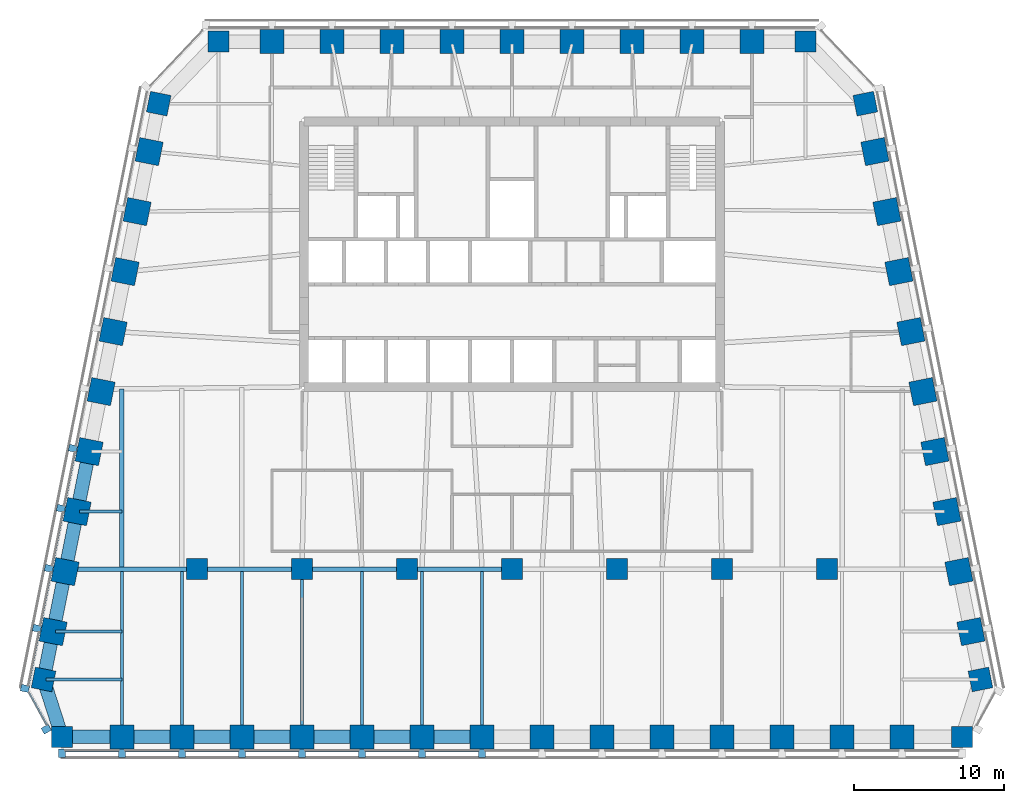
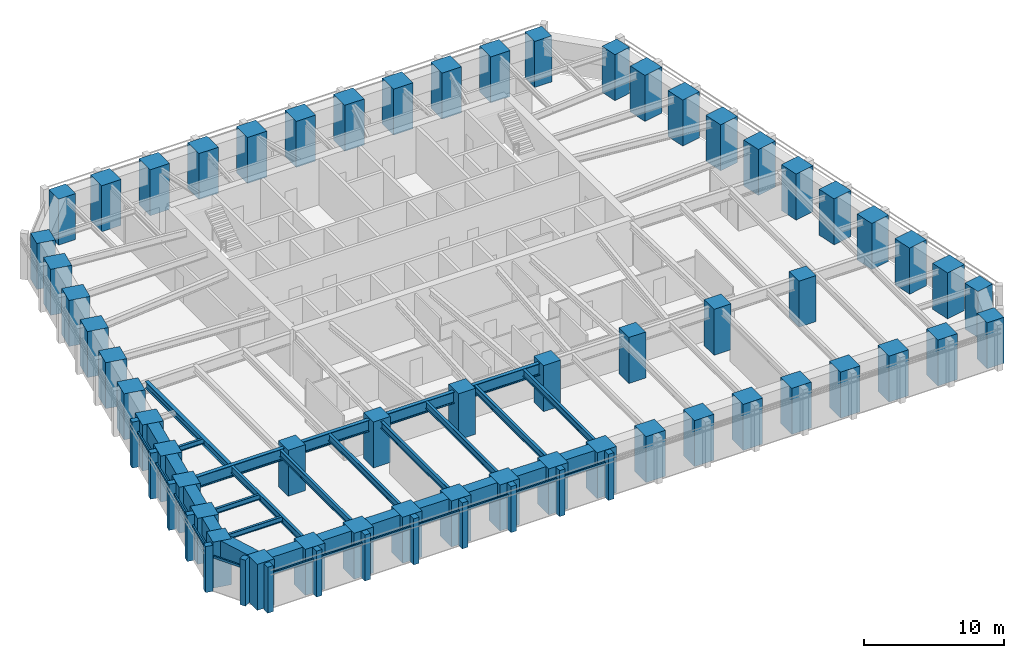
# One storey, part 1 of 10: 56 columns, 27 beams, 26 members, 3 elements without a shape of their own.
"""IFC4 building model written with IfcOpenShell, lengths in metres."""

from ifc_helpers import new_model, si_unit, direction, frame, origin, origin_2d, place, context, subcontext, project, spatial, rectangle, i_section, extrude, material, material_profile, profile_set, type_object, element, aggregate, save


model = new_model("IFC4")

# Units and contexts
model_context = context("Model", 3, precision=1e-05, world=origin(), true_north=direction((0.0, 1.0)))
body_context = subcontext(model_context, "Body", "Model", "MODEL_VIEW")
ifc_project = project(units=[si_unit("LENGTHUNIT", "METRE"), si_unit("AREAUNIT", "SQUARE_METRE"), si_unit("VOLUMEUNIT", "CUBIC_METRE"), si_unit("PLANEANGLEUNIT", "RADIAN"), si_unit("MASSUNIT", "GRAM", prefix="KILO")], contexts=[model_context])

# Site, building, storey
site_placement = place(None, origin())
site = spatial("IfcSite", under=ifc_project, at=site_placement, CompositionType="ELEMENT")
building_placement = place(site_placement, origin())
building = spatial("IfcBuilding", under=site, at=building_placement, Name="Isbrekke Arena Tower", CompositionType="ELEMENT")
storey_placement = place(building_placement, frame((0.0, 0.0, 186.0)))
storey = spatial("IfcBuildingStorey", under=building, at=storey_placement, Name="L42", CompositionType="ELEMENT", Elevation=186.0)

# Columns
ifc_material_1 = material(Name="Concrete B65 (C65/80)", Category="concrete")
ifc_material_profile_1 = material_profile(ifc_material_1, rectangle(XDim=1.39990234375, YDim=1.39990234375, at=origin_2d()), Name="RC 1400x1400")
ifc_profile_set_1 = profile_set([ifc_material_profile_1], Name="Concrete B65 (C65/80)")
column_type_1 = type_object("IfcColumnType", Name="C13 RC 1400 x 1400", PredefinedType="COLUMN", material=ifc_profile_set_1)
for number, where, z_axis, x_axis, name in (
    (1, (-21.0, -6.0, 0.0), (0.0, 0.0, 1.0), (1.0, 0.0, 0.0), "C13 I01"),
    (2, (-14.0, -6.0, 0.0), (0.0, 0.0, 1.0), (1.0, 0.0, 0.0), "C13 I02"),
    (3, (-7.0, -6.0, 0.0), (0.0, 0.0, 1.0), (1.0, 0.0, 0.0), "C13 I03"),
    (4, (0.0, -6.0, 0.0), (0.0, 0.0, 1.0), (1.0, 0.0, 0.0), "C13 I04"),
    (5, (7.0, -6.0, 0.0), (0.0, 0.0, 1.0), (1.0, 0.0, 0.0), "C13 I05"),
    (6, (14.0, -6.0, 0.0), (0.0, 0.0, 1.0), (1.0, 0.0, 0.0), "C13 I06"),
    (7, (21.0, -6.0, 0.0), (0.0, 0.0, 1.0), (1.0, 0.0, 0.0), "C13 I07"),
):
    element("IfcColumn", number, at=place(storey_placement, frame(where, z_axis=z_axis, x_axis=x_axis)), inside=storey, type_object=column_type_1, Name=name, PredefinedType="COLUMN", context=body_context, shape_type="SweptSolid", body=[
        extrude(rectangle(XDim=1.39990234375, YDim=1.39990234375, at=origin_2d()), origin(), (0.0, 0.0, 1.0), 4.0),
    ])
ifc_material_2 = material(Name="Concrete B65 (C65/80)", Category="concrete")
ifc_material_profile_2 = material_profile(ifc_material_2, rectangle(XDim=1.60009765625, YDim=1.60009765625, at=origin_2d()), Name="RC 1600x1600")
ifc_profile_set_2 = profile_set([ifc_material_profile_2], Name="Concrete B65 (C65/80)")
column_type_2 = type_object("IfcColumnType", Name="C4 RC 1600 x 1600", PredefinedType="COLUMN", material=ifc_profile_set_2)
for number, where, z_axis, x_axis, name in (
    (8, (-26.0, -17.175048828125, 0.0), (0.0, 0.0, 1.0), (1.0, 0.0, 0.0), "C4 S02"),
    (9, (-22.0, -17.175048828125, 0.0), (0.0, 0.0, 1.0), (1.0, 0.0, 0.0), "C4 S03"),
    (10, (-18.0, -17.175048828125, 0.0), (0.0, 0.0, 1.0), (1.0, 0.0, 0.0), "C4 S04"),
    (11, (-14.0, -17.175048828125, 0.0), (0.0, 0.0, 1.0), (1.0, 0.0, 0.0), "C4 S05"),
    (12, (-10.0, -17.175048828125, 0.0), (0.0, 0.0, 1.0), (1.0, 0.0, 0.0), "C4 S06"),
    (13, (-6.0, -17.175048828125, 0.0), (0.0, 0.0, 1.0), (1.0, 0.0, 0.0), "C4 S07"),
    (14, (-2.0, -17.175048828125, 0.0), (0.0, 0.0, 1.0), (1.0, 0.0, 0.0), "C4 S08"),
    (15, (2.0, -17.175048828125, 0.0), (0.0, 0.0, 1.0), (1.0, 0.0, 0.0), "C4 S09"),
    (16, (6.0, -17.175048828125, 0.0), (0.0, 0.0, 1.0), (1.0, 0.0, 0.0), "C4 S10"),
    (17, (10.0, -17.175048828125, 0.0), (0.0, 0.0, 1.0), (1.0, 0.0, 0.0), "C4 S11"),
    (18, (14.0, -17.175048828125, 0.0), (0.0, 0.0, 1.0), (1.0, 0.0, 0.0), "C4 S12"),
    (19, (18.0, -17.175048828125, 0.0), (0.0, 0.0, 1.0), (1.0, 0.0, 0.0), "C4 S13"),
    (20, (22.0, -17.175048828125, 0.0), (0.0, 0.0, 1.0), (1.0, 0.0, 0.0), "C4 S14"),
    (21, (26.0, -17.175048828125, 0.0), (0.0, 0.0, 1.0), (1.0, 0.0, 0.0), "C4 S15"),
    (22, (30.591064453125, -10.161865234375, 0.0), (0.0, 0.0, 1.0), (-0.196116135138, 0.980580675691, 0.0), "C4 E02"),
    (23, (29.791015625, -6.161865234375, 0.0), (0.0, 0.0, 1.0), (-0.196116135138, 0.980580675691, 0.0), "C4 E03"),
    (24, (28.990966796875, -2.161865234375, 0.0), (0.0, 0.0, 1.0), (-0.196116135138, 0.980580675691, 0.0), "C4 E04"),
    (25, (28.19091796875, 1.838134765625, 0.0), (0.0, 0.0, 1.0), (-0.196116135138, 0.980580675691, 0.0), "C4 E05"),
    (26, (27.39111328125, 5.838134765625, 0.0), (0.0, 0.0, 1.0), (-0.196116135138, 0.980580675691, 0.0), "C4 E06"),
    (27, (26.591064453125, 9.838134765625, 0.0), (0.0, 0.0, 1.0), (-0.196116135138, 0.980580675691, 0.0), "C4 E07"),
    (28, (25.791015625, 13.838134765625, 0.0), (0.0, 0.0, 1.0), (-0.196116135138, 0.980580675691, 0.0), "C4 E08"),
    (29, (24.990966796875, 17.838134765625, 0.0), (0.0, 0.0, 1.0), (-0.196116135138, 0.980580675691, 0.0), "C4 E09"),
    (30, (24.19091796875, 21.838134765625, 0.0), (0.0, 0.0, 1.0), (-0.196116135138, 0.980580675691, 0.0), "C4 E10"),
    (31, (16.0, 29.175048828125, 0.0), (0.0, 0.0, 1.0), (-1.0, 0.0, 0.0), "C4 N02"),
    (32, (12.0, 29.175048828125, 0.0), (0.0, 0.0, 1.0), (-1.0, 0.0, 0.0), "C4 N03"),
    (33, (8.0, 29.175048828125, 0.0), (0.0, 0.0, 1.0), (-1.0, 0.0, 0.0), "C4 N04"),
    (34, (4.0, 29.175048828125, 0.0), (0.0, 0.0, 1.0), (-1.0, 0.0, 0.0), "C4 N05"),
    (35, (0.0, 29.175048828125, 0.0), (0.0, 0.0, 1.0), (-1.0, 0.0, 0.0), "C4 N06"),
    (36, (-4.0, 29.175048828125, 0.0), (0.0, 0.0, 1.0), (-1.0, 0.0, 0.0), "C4 N07"),
    (37, (-8.0, 29.175048828125, 0.0), (0.0, 0.0, 1.0), (-1.0, 0.0, 0.0), "C4 N08"),
    (38, (-12.0, 29.175048828125, 0.0), (0.0, 0.0, 1.0), (-1.0, 0.0, 0.0), "C4 N09"),
    (39, (-16.0, 29.175048828125, 0.0), (0.0, 0.0, 1.0), (-1.0, 0.0, 0.0), "C4 N10"),
    (40, (-24.19091796875, 21.838134765625, 0.0), (0.0, 0.0, 1.0), (-0.196116135138, -0.980580675691, 0.0), "C4 W02"),
    (41, (-24.990966796875, 17.838134765625, 0.0), (0.0, 0.0, 1.0), (-0.196116135138, -0.980580675691, 0.0), "C4 W03"),
    (42, (-25.791015625, 13.838134765625, 0.0), (0.0, 0.0, 1.0), (-0.196116135138, -0.980580675691, 0.0), "C4 W04"),
    (43, (-26.591064453125, 9.838134765625, 0.0), (0.0, 0.0, 1.0), (-0.196116135138, -0.980580675691, 0.0), "C4 W05"),
    (44, (-27.39111328125, 5.838134765625, 0.0), (0.0, 0.0, 1.0), (-0.196116135138, -0.980580675691, 0.0), "C4 W06"),
    (45, (-28.19091796875, 1.838134765625, 0.0), (0.0, 0.0, 1.0), (-0.196116135138, -0.980580675691, 0.0), "C4 W07"),
    (46, (-28.990966796875, -2.161865234375, 0.0), (0.0, 0.0, 1.0), (-0.196116135138, -0.980580675691, 0.0), "C4 W08"),
    (47, (-29.791015625, -6.161865234375, 0.0), (0.0, 0.0, 1.0), (-0.196116135138, -0.980580675691, 0.0), "C4 W09"),
    (48, (-30.591064453125, -10.161865234375, 0.0), (0.0, 0.0, 1.0), (-0.196116135138, -0.980580675691, 0.0), "C4 W10"),
):
    element("IfcColumn", number, at=place(storey_placement, frame(where, z_axis=z_axis, x_axis=x_axis)), inside=storey, type_object=column_type_2, Name=name, PredefinedType="COLUMN", context=body_context, shape_type="SweptSolid", body=[
        extrude(rectangle(XDim=1.60009765625, YDim=1.60009765625, at=origin_2d()), origin(), (0.0, 0.0, 1.0), 4.0),
    ])
ifc_material_3 = material(Name="Concrete B65 (C65/80)", Category="concrete")
ifc_material_profile_3 = material_profile(ifc_material_3, rectangle(XDim=1.39990234375, YDim=1.39990234375, at=origin_2d()), Name="RC 1400x1400")
ifc_profile_set_3 = profile_set([ifc_material_profile_3], Name="Concrete B65 (C65/80)")
column_type_3 = type_object("IfcColumnType", Name="C8 RC 1400 x 1400", PredefinedType="COLUMN", material=ifc_profile_set_3)
for number, where, z_axis, x_axis, name in (
    (49, (-30.0, -17.175048828125, 0.0), (0.0, 0.0, 1.0), (1.0, 0.0, 0.0), "C8 S01"),
    (50, (30.0, -17.175048828125, 0.0), (0.0, 0.0, 1.0), (1.0, 0.0, 0.0), "C8 S16"),
    (51, (31.229248046875, -13.352783203125, 0.0), (0.0, 0.0, 1.0), (-0.196116135138, 0.980580675691, 0.0), "C8 E01"),
    (52, (23.552734375, 25.029296875, 0.0), (0.0, 0.0, 1.0), (-0.196116135138, 0.980580675691, 0.0), "C8 E11"),
    (53, (19.574951171875, 29.175048828125, 0.0), (0.0, 0.0, 1.0), (-1.0, 0.0, 0.0), "C8 N01"),
    (54, (-19.574951171875, 29.175048828125, 0.0), (0.0, 0.0, 1.0), (-1.0, 0.0, 0.0), "C8 N11"),
    (55, (-23.552734375, 25.029296875, 0.0), (0.0, 0.0, 1.0), (-0.196116135138, -0.980580675691, 0.0), "C8 W01"),
    (56, (-31.229248046875, -13.352783203125, 0.0), (0.0, 0.0, 1.0), (-0.196116135138, -0.980580675691, 0.0), "C8 W11"),
):
    element("IfcColumn", number, at=place(storey_placement, frame(where, z_axis=z_axis, x_axis=x_axis)), inside=storey, type_object=column_type_3, Name=name, PredefinedType="COLUMN", context=body_context, shape_type="SweptSolid", body=[
        extrude(rectangle(XDim=1.39990234375, YDim=1.39990234375, at=origin_2d()), origin(), (0.0, 0.0, 1.0), 4.0),
    ])

# Beams
ifc_material_4 = material(Name="Steel S355", Category="steel")
ifc_material_profile_4 = material_profile(ifc_material_4, i_section(OverallWidth=0.219970703125, OverallDepth=0.60009765625, WebThickness=0.011962890625, FlangeThickness=0.01904296875, FilletRadius=0.02392578125, at=origin_2d()), Name="IPE 600")
ifc_profile_set_4 = profile_set([ifc_material_profile_4], Name="Steel S355")
beam_type_1 = type_object("IfcBeamType", Name="B1 IPE 600", PredefinedType="BEAM", material=ifc_profile_set_4)
for number, where, z_axis, x_axis, name in (
    (57, (-26.0, -17.02490234375, 3.550048828125), (0.0, 1.0, 0.0), (-1.0, 0.0, 0.0), "B1 beam S-S02 L42"),
    (58, (-22.0, -17.02490234375, 3.550048828125), (0.0, 1.0, 0.0), (-1.0, 0.0, 0.0), "B1 beam S-S03 L42"),
    (59, (-18.0, -17.02490234375, 3.550048828125), (0.0, 1.0, 0.0), (-1.0, 0.0, 0.0), "B1 beam S-S04 L42"),
):
    element("IfcBeam", number, at=place(storey_placement, frame(where, z_axis=z_axis, x_axis=x_axis)), inside=storey, type_object=beam_type_1, Name=name, PredefinedType="BEAM", context=body_context, shape_type="SweptSolid", body=[
        extrude(i_section(OverallWidth=0.219970703125, OverallDepth=0.60009765625, WebThickness=0.011962890625, FlangeThickness=0.01904296875, FilletRadius=0.02392578125, at=origin_2d()), origin(), (0.0, 0.0, 1.0), 10.8740234375),
    ])
beam_1_placement = place(storey_placement, frame((-14.0, -17.02490234375, 3.550048828125), z_axis=(0.0, 1.0, 0.0), x_axis=(-1.0, 0.0, 0.0)))
element("IfcBeam", 60, at=beam_1_placement, inside=storey, type_object=beam_type_1, Name="B1 beam S-S05 L42", PredefinedType="BEAM", context=body_context, shape_type="SweptSolid", body=[
    extrude(i_section(OverallWidth=0.219970703125, OverallDepth=0.60009765625, WebThickness=0.011962890625, FlangeThickness=0.01904296875, FilletRadius=0.02392578125, at=origin_2d()), origin(), (0.0, 0.0, 1.0), 10.875),
])
for number, where, z_axis, x_axis, name in (
    (61, (-10.0, -17.02490234375, 3.550048828125), (0.0, 1.0, 0.0), (-1.0, 0.0, 0.0), "B1 beam S-S06 L42"),
    (62, (-6.0, -17.02490234375, 3.550048828125), (0.0, 1.0, 0.0), (-1.0, 0.0, 0.0), "B1 beam S-S07 L42"),
    (63, (-2.0, -17.02490234375, 3.550048828125), (0.0, 1.0, 0.0), (-1.0, 0.0, 0.0), "B1 beam S-S08 L42"),
):
    element("IfcBeam", number, at=place(storey_placement, frame(where, z_axis=z_axis, x_axis=x_axis)), inside=storey, type_object=beam_type_1, Name=name, PredefinedType="BEAM", context=body_context, shape_type="SweptSolid", body=[
        extrude(i_section(OverallWidth=0.219970703125, OverallDepth=0.60009765625, WebThickness=0.011962890625, FlangeThickness=0.01904296875, FilletRadius=0.02392578125, at=origin_2d()), origin(), (0.0, 0.0, 1.0), 10.8740234375),
    ])
ifc_material_5 = material(Name="Steel S355", Category="steel")
ifc_material_profile_5 = material_profile(ifc_material_5, i_section(OverallWidth=0.18994140625, OverallDepth=0.449951171875, WebThickness=0.009521484375, FlangeThickness=0.0146484375, FilletRadius=0.02099609375, at=origin_2d()), Name="IPE 450")
ifc_profile_set_5 = profile_set([ifc_material_profile_5], Name="Steel S355")
beam_type_2 = type_object("IfcBeamType", Name="B2 IPE 450", PredefinedType="BEAM", material=ifc_profile_set_5)
beam_2_placement = place(storey_placement, frame((-28.841064453125, -2.161865234375, 3.625), z_axis=(1.0, 0.0, 0.0), x_axis=(0.0, 1.0, 0.0)))
element("IfcBeam", 64, at=beam_2_placement, inside=storey, type_object=beam_type_2, Name="B2 beam E-W08 L42", PredefinedType="BEAM", context=body_context, shape_type="SweptSolid", body=[
    extrude(i_section(OverallWidth=0.18994140625, OverallDepth=0.449951171875, WebThickness=0.009521484375, FlangeThickness=0.0146484375, FilletRadius=0.02099609375, at=origin_2d()), origin(), (0.0, 0.0, 1.0), 2.841064453125),
])
beam_3_placement = place(storey_placement, frame((-30.44091796875, -10.161865234375, 3.625), z_axis=(1.0, 0.0, 0.0), x_axis=(0.0, 1.0, 0.0)))
element("IfcBeam", 65, at=beam_3_placement, inside=storey, type_object=beam_type_2, Name="B2 beam E-W10 L42", PredefinedType="BEAM", context=body_context, shape_type="SweptSolid", body=[
    extrude(i_section(OverallWidth=0.18994140625, OverallDepth=0.449951171875, WebThickness=0.009521484375, FlangeThickness=0.0146484375, FilletRadius=0.02099609375, at=origin_2d()), origin(), (0.0, 0.0, 1.0), 4.44091796875),
])
beam_4_placement = place(storey_placement, frame((-31.079345703125, -13.352783203125, 3.625), z_axis=(1.0, 0.0, 0.0), x_axis=(0.0, 1.0, 0.0)))
element("IfcBeam", 66, at=beam_4_placement, inside=storey, type_object=beam_type_2, Name="B2 beam E-W11 L42", PredefinedType="BEAM", context=body_context, shape_type="SweptSolid", body=[
    extrude(i_section(OverallWidth=0.18994140625, OverallDepth=0.449951171875, WebThickness=0.009521484375, FlangeThickness=0.0146484375, FilletRadius=0.02099609375, at=origin_2d()), origin(), (0.0, 0.0, 1.0), 5.079345703125),
])
ifc_material_6 = material(Name="Steel S355", Category="steel")
ifc_material_profile_6 = material_profile(ifc_material_6, i_section(OverallWidth=0.300048828125, OverallDepth=0.60009765625, WebThickness=0.015380859375, FlangeThickness=0.030029296875, FilletRadius=0.027099609375, at=origin_2d()), Name="HEB 600")
ifc_profile_set_6 = profile_set([ifc_material_profile_6], Name="Steel S355")
beam_type_3 = type_object("IfcBeamType", Name="B7 HEB 600", PredefinedType="BEAM", material=ifc_profile_set_6)
beam_5_placement = place(storey_placement, frame((-26.0, -5.84912109375, 3.550048828125), z_axis=(0.0, 1.0, 0.0), x_axis=(-1.0, 0.0, 0.0)))
element("IfcBeam", 67, at=beam_5_placement, inside=storey, type_object=beam_type_3, Name="B7 beam C-M01 L42", PredefinedType="BEAM", context=body_context, shape_type="SweptSolid", body=[
    extrude(i_section(OverallWidth=0.300048828125, OverallDepth=0.60009765625, WebThickness=0.015380859375, FlangeThickness=0.030029296875, FilletRadius=0.027099609375, at=origin_2d()), origin(), (0.0, 0.0, 1.0), 11.864990234375),
])

# Curtain wall, members
ifc_material_7 = material(Name="Glazed aluminium curtain wall", Category="aluminium")
curtain_wall_type = type_object("IfcCurtainWallType", Name="CWH TOWER CURTAIN WALL HIGH ZONE", PredefinedType="USERDEFINED", material=ifc_material_7)
curtain_wall_1_placement = place(storey_placement, origin())
curtain_wall_1 = element("IfcCurtainWall", 68, at=curtain_wall_1_placement, inside=storey, type_object=curtain_wall_type, Name="CWH curtain wall L42-S", ObjectType="TOWER CURTAIN WALL HIGH ZONE", PredefinedType="USERDEFINED")
ifc_material_8 = material(Name="Aluminium mullion, pale brick slip cladding", Category="masonry")
ifc_material_profile_7 = material_profile(ifc_material_8, rectangle(XDim=0.449951171875, YDim=0.550048828125, at=origin_2d()), Name="PIER 450X550")
ifc_profile_set_7 = profile_set([ifc_material_profile_7], Name="Aluminium mullion, pale brick slip cladding")
member_type_1 = type_object("IfcMemberType", Name="CWH-M PIER MULLION 450 x 550", PredefinedType="MULLION", material=ifc_profile_set_7)
member_1_placement = place(storey_placement, frame((-30.0, -18.27490234375, 0.0), z_axis=(0.0, 0.0, 1.0), x_axis=(1.0, 0.0, 0.0)))
member_1 = element("IfcMember", 69, at=member_1_placement, type_object=member_type_1, Name="CWH-M mullion 1", PredefinedType="MULLION", context=body_context, shape_type="SweptSolid", body=[
    extrude(rectangle(XDim=0.449951171875, YDim=0.550048828125, at=origin_2d()), origin(), (0.0, 0.0, 1.0), 4.0),
])
member_2_placement = place(storey_placement, frame((-26.0, -18.27490234375, 0.0), z_axis=(0.0, 0.0, 1.0), x_axis=(1.0, 0.0, 0.0)))
member_2 = element("IfcMember", 70, at=member_2_placement, type_object=member_type_1, Name="CWH-M mullion 2", PredefinedType="MULLION", context=body_context, shape_type="SweptSolid", body=[
    extrude(rectangle(XDim=0.449951171875, YDim=0.550048828125, at=origin_2d()), origin(), (0.0, 0.0, 1.0), 4.0),
])
member_3_placement = place(storey_placement, frame((-22.0, -18.27490234375, 0.0), z_axis=(0.0, 0.0, 1.0), x_axis=(1.0, 0.0, 0.0)))
member_3 = element("IfcMember", 71, at=member_3_placement, type_object=member_type_1, Name="CWH-M mullion 3", PredefinedType="MULLION", context=body_context, shape_type="SweptSolid", body=[
    extrude(rectangle(XDim=0.449951171875, YDim=0.550048828125, at=origin_2d()), origin(), (0.0, 0.0, 1.0), 4.0),
])
member_4_placement = place(storey_placement, frame((-18.0, -18.27490234375, 0.0), z_axis=(0.0, 0.0, 1.0), x_axis=(1.0, 0.0, 0.0)))
member_4 = element("IfcMember", 72, at=member_4_placement, type_object=member_type_1, Name="CWH-M mullion 4", PredefinedType="MULLION", context=body_context, shape_type="SweptSolid", body=[
    extrude(rectangle(XDim=0.449951171875, YDim=0.550048828125, at=origin_2d()), origin(), (0.0, 0.0, 1.0), 4.0),
])
member_5_placement = place(storey_placement, frame((-14.0, -18.27490234375, 0.0), z_axis=(0.0, 0.0, 1.0), x_axis=(1.0, 0.0, 0.0)))
member_5 = element("IfcMember", 73, at=member_5_placement, type_object=member_type_1, Name="CWH-M mullion 5", PredefinedType="MULLION", context=body_context, shape_type="SweptSolid", body=[
    extrude(rectangle(XDim=0.449951171875, YDim=0.550048828125, at=origin_2d()), origin(), (0.0, 0.0, 1.0), 4.0),
])
member_6_placement = place(storey_placement, frame((-10.0, -18.27490234375, 0.0), z_axis=(0.0, 0.0, 1.0), x_axis=(1.0, 0.0, 0.0)))
member_6 = element("IfcMember", 74, at=member_6_placement, type_object=member_type_1, Name="CWH-M mullion 6", PredefinedType="MULLION", context=body_context, shape_type="SweptSolid", body=[
    extrude(rectangle(XDim=0.449951171875, YDim=0.550048828125, at=origin_2d()), origin(), (0.0, 0.0, 1.0), 4.0),
])
member_7_placement = place(storey_placement, frame((-6.0, -18.27490234375, 0.0), z_axis=(0.0, 0.0, 1.0), x_axis=(1.0, 0.0, 0.0)))
member_7 = element("IfcMember", 75, at=member_7_placement, type_object=member_type_1, Name="CWH-M mullion 7", PredefinedType="MULLION", context=body_context, shape_type="SweptSolid", body=[
    extrude(rectangle(XDim=0.449951171875, YDim=0.550048828125, at=origin_2d()), origin(), (0.0, 0.0, 1.0), 4.0),
])
member_8_placement = place(storey_placement, frame((-2.0, -18.27490234375, 0.0), z_axis=(0.0, 0.0, 1.0), x_axis=(1.0, 0.0, 0.0)))
member_8 = element("IfcMember", 76, at=member_8_placement, type_object=member_type_1, Name="CWH-M mullion 8", PredefinedType="MULLION", context=body_context, shape_type="SweptSolid", body=[
    extrude(rectangle(XDim=0.449951171875, YDim=0.550048828125, at=origin_2d()), origin(), (0.0, 0.0, 1.0), 4.0),
])

curtain_wall_2_placement = place(storey_placement, origin())
curtain_wall_2 = element("IfcCurtainWall", 77, at=curtain_wall_2_placement, inside=storey, type_object=curtain_wall_type, Name="CWH curtain wall L42-W", ObjectType="TOWER CURTAIN WALL HIGH ZONE", PredefinedType="USERDEFINED")
member_9_placement = place(storey_placement, frame((-29.269775390625, 2.053955078125, 0.0), z_axis=(0.0, 0.0, 1.0), x_axis=(-0.196116135138, -0.980580675691, 0.0)))
member_9 = element("IfcMember", 78, at=member_9_placement, type_object=member_type_1, Name="CWH-M mullion 6", PredefinedType="MULLION", context=body_context, shape_type="SweptSolid", body=[
    extrude(rectangle(XDim=0.449951171875, YDim=0.550048828125, at=origin_2d()), origin(), (0.0, 0.0, 1.0), 4.0),
])
member_10_placement = place(storey_placement, frame((-30.069580078125, -1.946044921875, 0.0), z_axis=(0.0, 0.0, 1.0), x_axis=(-0.196116135138, -0.980580675691, 0.0)))
member_10 = element("IfcMember", 79, at=member_10_placement, type_object=member_type_1, Name="CWH-M mullion 7", PredefinedType="MULLION", context=body_context, shape_type="SweptSolid", body=[
    extrude(rectangle(XDim=0.449951171875, YDim=0.550048828125, at=origin_2d()), origin(), (0.0, 0.0, 1.0), 4.0),
])
member_11_placement = place(storey_placement, frame((-30.86962890625, -5.946044921875, 0.0), z_axis=(0.0, 0.0, 1.0), x_axis=(-0.196116135138, -0.980580675691, 0.0)))
member_11 = element("IfcMember", 80, at=member_11_placement, type_object=member_type_1, Name="CWH-M mullion 8", PredefinedType="MULLION", context=body_context, shape_type="SweptSolid", body=[
    extrude(rectangle(XDim=0.449951171875, YDim=0.550048828125, at=origin_2d()), origin(), (0.0, 0.0, 1.0), 4.0),
])
member_12_placement = place(storey_placement, frame((-31.669677734375, -9.946044921875, 0.0), z_axis=(0.0, 0.0, 1.0), x_axis=(-0.196116135138, -0.980580675691, 0.0)))
member_12 = element("IfcMember", 81, at=member_12_placement, type_object=member_type_1, Name="CWH-M mullion 9", PredefinedType="MULLION", context=body_context, shape_type="SweptSolid", body=[
    extrude(rectangle(XDim=0.449951171875, YDim=0.550048828125, at=origin_2d()), origin(), (0.0, 0.0, 1.0), 4.0),
])
member_13_placement = place(storey_placement, frame((-32.4697265625, -13.946044921875, 0.0), z_axis=(0.0, 0.0, 1.0), x_axis=(-0.196116135138, -0.980580675691, 0.0)))
member_13 = element("IfcMember", 82, at=member_13_placement, type_object=member_type_1, Name="CWH-M mullion 10", PredefinedType="MULLION", context=body_context, shape_type="SweptSolid", body=[
    extrude(rectangle(XDim=0.449951171875, YDim=0.550048828125, at=origin_2d()), origin(), (0.0, 0.0, 1.0), 4.0),
])

# Curtain wall, member
curtain_wall_3_placement = place(storey_placement, origin())
curtain_wall_3 = element("IfcCurtainWall", 83, at=curtain_wall_3_placement, inside=storey, type_object=curtain_wall_type, Name="CWH curtain wall L42-WS", ObjectType="TOWER CURTAIN WALL HIGH ZONE", PredefinedType="USERDEFINED")
member_14_placement = place(storey_placement, frame((-31.04638671875, -16.66796875, 0.0), z_axis=(0.0, 0.0, 1.0), x_axis=(0.481918749773, -0.876215908676, 0.0)))
member_14 = element("IfcMember", 84, at=member_14_placement, type_object=member_type_1, Name="CWH-M mullion 1", PredefinedType="MULLION", context=body_context, shape_type="SweptSolid", body=[
    extrude(rectangle(XDim=0.449951171875, YDim=0.550048828125, at=origin_2d()), origin(), (0.0, 0.0, 1.0), 4.0),
])

# Member
ifc_material_9 = material(Name="Aluminium transom", Category="aluminium")
ifc_material_profile_8 = material_profile(ifc_material_9, rectangle(XDim=0.1201171875, YDim=0.199951171875, at=origin_2d()), Name="TRANSOM 120X200")
ifc_profile_set_8 = profile_set([ifc_material_profile_8], Name="Aluminium transom")
member_type_2 = type_object("IfcMemberType", Name="CWH-T TRANSOM 120 x 200", PredefinedType="USERDEFINED", material=ifc_profile_set_8)
member_15_placement = place(storey_placement, frame((-29.77490234375, -18.10009765625, 3.0), z_axis=(1.0, 0.0, 0.0), x_axis=(0.0, 1.0, 0.0)))
member_15 = element("IfcMember", 85, at=member_15_placement, type_object=member_type_2, Name="CWH-T transom 1", ObjectType="TRANSOM", PredefinedType="USERDEFINED", context=body_context, shape_type="SweptSolid", body=[
    extrude(rectangle(XDim=0.1201171875, YDim=0.199951171875, at=origin_2d()), origin(), (0.0, 0.0, 1.0), 3.5498046875),
])

member_16_placement = place(storey_placement, frame((-25.77490234375, -18.10009765625, 3.0), z_axis=(1.0, 0.0, 0.0), x_axis=(0.0, 1.0, 0.0)))
member_16 = element("IfcMember", 86, at=member_16_placement, type_object=member_type_2, Name="CWH-T transom 2", ObjectType="TRANSOM", PredefinedType="USERDEFINED", context=body_context, shape_type="SweptSolid", body=[
    extrude(rectangle(XDim=0.1201171875, YDim=0.199951171875, at=origin_2d()), origin(), (0.0, 0.0, 1.0), 3.5498046875),
])

member_17_placement = place(storey_placement, frame((-21.77490234375, -18.10009765625, 3.0), z_axis=(1.0, 0.0, 0.0), x_axis=(0.0, 1.0, 0.0)))
member_17 = element("IfcMember", 87, at=member_17_placement, type_object=member_type_2, Name="CWH-T transom 3", ObjectType="TRANSOM", PredefinedType="USERDEFINED", context=body_context, shape_type="SweptSolid", body=[
    extrude(rectangle(XDim=0.1201171875, YDim=0.199951171875, at=origin_2d()), origin(), (0.0, 0.0, 1.0), 3.5498046875),
])

member_18_placement = place(storey_placement, frame((-17.77490234375, -18.10009765625, 3.0), z_axis=(1.0, 0.0, 0.0), x_axis=(0.0, 1.0, 0.0)))
member_18 = element("IfcMember", 88, at=member_18_placement, type_object=member_type_2, Name="CWH-T transom 4", ObjectType="TRANSOM", PredefinedType="USERDEFINED", context=body_context, shape_type="SweptSolid", body=[
    extrude(rectangle(XDim=0.1201171875, YDim=0.199951171875, at=origin_2d()), origin(), (0.0, 0.0, 1.0), 3.5498046875),
])

member_19_placement = place(storey_placement, frame((-13.77490234375, -18.10009765625, 3.0), z_axis=(1.0, 0.0, 0.0), x_axis=(0.0, 1.0, 0.0)))
member_19 = element("IfcMember", 89, at=member_19_placement, type_object=member_type_2, Name="CWH-T transom 5", ObjectType="TRANSOM", PredefinedType="USERDEFINED", context=body_context, shape_type="SweptSolid", body=[
    extrude(rectangle(XDim=0.1201171875, YDim=0.199951171875, at=origin_2d()), origin(), (0.0, 0.0, 1.0), 3.5498046875),
])

member_20_placement = place(storey_placement, frame((-9.77490234375, -18.10009765625, 3.0), z_axis=(1.0, 0.0, 0.0), x_axis=(0.0, 1.0, 0.0)))
member_20 = element("IfcMember", 90, at=member_20_placement, type_object=member_type_2, Name="CWH-T transom 6", ObjectType="TRANSOM", PredefinedType="USERDEFINED", context=body_context, shape_type="SweptSolid", body=[
    extrude(rectangle(XDim=0.1201171875, YDim=0.199951171875, at=origin_2d()), origin(), (0.0, 0.0, 1.0), 3.5498046875),
])

member_21_placement = place(storey_placement, frame((-5.77490234375, -18.10009765625, 3.0), z_axis=(1.0, 0.0, 0.0), x_axis=(0.0, 1.0, 0.0)))
member_21 = element("IfcMember", 91, at=member_21_placement, type_object=member_type_2, Name="CWH-T transom 7", ObjectType="TRANSOM", PredefinedType="USERDEFINED", context=body_context, shape_type="SweptSolid", body=[
    extrude(rectangle(XDim=0.1201171875, YDim=0.199951171875, at=origin_2d()), origin(), (0.0, 0.0, 1.0), 3.5498046875),
])

aggregate(curtain_wall_1, [member_1, member_2, member_3, member_4, member_5, member_6, member_7, member_8, member_15, member_16, member_17, member_18, member_19, member_20, member_21])

member_22_placement = place(storey_placement, frame((-29.14208984375, 1.799072265625, 3.0), z_axis=(-0.196154943734, -0.980572913173, 0.0), x_axis=(0.980572913173, -0.196154943734, 0.0)))
member_22 = element("IfcMember", 92, at=member_22_placement, type_object=member_type_2, Name="CWH-T transom 7", ObjectType="TRANSOM", PredefinedType="USERDEFINED", context=body_context, shape_type="SweptSolid", body=[
    extrude(rectangle(XDim=0.1201171875, YDim=0.199951171875, at=origin_2d()), origin(), (0.0, 0.0, 1.0), 3.62939453125),
])

member_23_placement = place(storey_placement, frame((-29.942138671875, -2.200927734375, 3.0), z_axis=(-0.196154943734, -0.980572913173, 0.0), x_axis=(0.980572913173, -0.196154943734, 0.0)))
member_23 = element("IfcMember", 93, at=member_23_placement, type_object=member_type_2, Name="CWH-T transom 8", ObjectType="TRANSOM", PredefinedType="USERDEFINED", context=body_context, shape_type="SweptSolid", body=[
    extrude(rectangle(XDim=0.1201171875, YDim=0.199951171875, at=origin_2d()), origin(), (0.0, 0.0, 1.0), 3.62939453125),
])

member_24_placement = place(storey_placement, frame((-30.7421875, -6.200927734375, 3.0), z_axis=(-0.196090262229, -0.980585849918, 0.0), x_axis=(0.980585849918, -0.196090262229, 0.0)))
member_24 = element("IfcMember", 94, at=member_24_placement, type_object=member_type_2, Name="CWH-T transom 9", ObjectType="TRANSOM", PredefinedType="USERDEFINED", context=body_context, shape_type="SweptSolid", body=[
    extrude(rectangle(XDim=0.1201171875, YDim=0.199951171875, at=origin_2d()), origin(), (0.0, 0.0, 1.0), 3.62939453125),
])

member_25_placement = place(storey_placement, frame((-31.542236328125, -10.200927734375, 3.0), z_axis=(-0.196090262229, -0.980585849918, 0.0), x_axis=(0.980585849918, -0.196090262229, 0.0)))
member_25 = element("IfcMember", 95, at=member_25_placement, type_object=member_type_2, Name="CWH-T transom 10", ObjectType="TRANSOM", PredefinedType="USERDEFINED", context=body_context, shape_type="SweptSolid", body=[
    extrude(rectangle(XDim=0.1201171875, YDim=0.199951171875, at=origin_2d()), origin(), (0.0, 0.0, 1.0), 3.62939453125),
])

aggregate(curtain_wall_2, [member_9, member_10, member_11, member_12, member_13, member_22, member_23, member_24, member_25])

member_26_placement = place(storey_placement, frame((-32.17919921875, -14.245361328125, 3.0), z_axis=(0.481957101782, -0.876194813978, 0.0), x_axis=(0.876194813978, 0.481957101782, 0.0)))
member_26 = element("IfcMember", 96, at=member_26_placement, type_object=member_type_2, Name="CWH-T transom 1", ObjectType="TRANSOM", PredefinedType="USERDEFINED", context=body_context, shape_type="SweptSolid", body=[
    extrude(rectangle(XDim=0.1201171875, YDim=0.199951171875, at=origin_2d()), origin(), (0.0, 0.0, 1.0), 2.443603515625),
])

aggregate(curtain_wall_3, [member_14, member_26])

# Beams
ifc_material_10 = material(Name="Steel S355", Category="steel")
ifc_material_profile_9 = material_profile(ifc_material_10, i_section(OverallWidth=0.302001953125, OverallDepth=1.008056640625, WebThickness=0.02099609375, FlangeThickness=0.0400390625, FilletRadius=0.030029296875, at=origin_2d()), Name="HEM 1000")
ifc_profile_set_9 = profile_set([ifc_material_profile_9], Name="Steel S355")
beam_type_4 = type_object("IfcBeamType", Name="G1 HEM 1000", PredefinedType="BEAM", material=ifc_profile_set_9)
beam_6_placement = place(storey_placement, frame((-29.791015625, -6.0, 3.345947265625), z_axis=(1.0, 0.0, 0.0), x_axis=(0.0, 1.0, 0.0)))
element("IfcBeam", 97, at=beam_6_placement, inside=storey, type_object=beam_type_4, Name="G1 beam G1-01 L42", PredefinedType="BEAM", context=body_context, shape_type="SweptSolid", body=[
    extrude(i_section(OverallWidth=0.302001953125, OverallDepth=1.008056640625, WebThickness=0.02099609375, FlangeThickness=0.0400390625, FilletRadius=0.030029296875, at=origin_2d()), origin(), (0.0, 0.0, 1.0), 8.64111328125),
])
for number, where, z_axis, x_axis, name in (
    (98, (-20.85009765625, -6.0, 3.345947265625), (1.0, 0.0, 0.0), (0.0, 1.0, 0.0), "G1 beam G1-02 L42"),
    (99, (-13.85009765625, -6.0, 3.345947265625), (1.0, 0.0, 0.0), (0.0, 1.0, 0.0), "G1 beam G1-03 L42"),
    (100, (-6.85009765625, -6.0, 3.345947265625), (1.0, 0.0, 0.0), (0.0, 1.0, 0.0), "G1 beam G1-04 L42"),
):
    element("IfcBeam", number, at=place(storey_placement, frame(where, z_axis=z_axis, x_axis=x_axis)), inside=storey, type_object=beam_type_4, Name=name, PredefinedType="BEAM", context=body_context, shape_type="SweptSolid", body=[
        extrude(i_section(OverallWidth=0.302001953125, OverallDepth=1.008056640625, WebThickness=0.02099609375, FlangeThickness=0.0400390625, FilletRadius=0.030029296875, at=origin_2d()), origin(), (0.0, 0.0, 1.0), 6.7001953125),
    ])
ifc_material_11 = material(Name="Concrete B65 (C65/80)", Category="concrete")
ifc_material_profile_10 = material_profile(ifc_material_11, rectangle(XDim=0.89990234375, YDim=1.5, at=origin_2d()), Name="RC 900x1500")
ifc_profile_set_10 = profile_set([ifc_material_profile_10], Name="Concrete B65 (C65/80)")
beam_type_5 = type_object("IfcBeamType", Name="SB3 RC 900 x 1500", PredefinedType="SPANDREL", material=ifc_profile_set_10)
for number, where, z_axis, x_axis, name in (
    (101, (-29.85009765625, -17.175048828125, 3.25), (1.0, 0.0, 0.0), (0.0, 1.0, 0.0), "SB3 spandrel S01-S02 L42"),
    (102, (-25.85009765625, -17.175048828125, 3.25), (1.0, 0.0, 0.0), (0.0, 1.0, 0.0), "SB3 spandrel S02-S03 L42"),
    (103, (-21.85009765625, -17.175048828125, 3.25), (1.0, 0.0, 0.0), (0.0, 1.0, 0.0), "SB3 spandrel S03-S04 L42"),
    (104, (-17.85009765625, -17.175048828125, 3.25), (1.0, 0.0, 0.0), (0.0, 1.0, 0.0), "SB3 spandrel S04-S05 L42"),
    (105, (-13.85009765625, -17.175048828125, 3.25), (1.0, 0.0, 0.0), (0.0, 1.0, 0.0), "SB3 spandrel S05-S06 L42"),
    (106, (-9.85009765625, -17.175048828125, 3.25), (1.0, 0.0, 0.0), (0.0, 1.0, 0.0), "SB3 spandrel S06-S07 L42"),
    (107, (-5.85009765625, -17.175048828125, 3.25), (1.0, 0.0, 0.0), (0.0, 1.0, 0.0), "SB3 spandrel S07-S08 L42"),
):
    element("IfcBeam", number, at=place(storey_placement, frame(where, z_axis=z_axis, x_axis=x_axis)), inside=storey, type_object=beam_type_5, Name=name, PredefinedType="SPANDREL", context=body_context, shape_type="SweptSolid", body=[
        extrude(rectangle(XDim=0.89990234375, YDim=1.5, at=origin_2d()), origin(), (0.0, 0.0, 1.0), 3.7001953125),
    ])
for number, where, z_axis, x_axis, name in (
    (108, (-28.220458984375, 1.691162109375, 3.25), (-0.196128558387, -0.980578190959, 0.0), (0.980578190959, -0.196128558387, 0.0), "SB3 spandrel W07-W08 L42"),
    (109, (-29.0205078125, -2.308837890625, 3.25), (-0.196128558387, -0.980578190959, 0.0), (0.980578190959, -0.196128558387, 0.0), "SB3 spandrel W08-W09 L42"),
):
    element("IfcBeam", number, at=place(storey_placement, frame(where, z_axis=z_axis, x_axis=x_axis)), inside=storey, type_object=beam_type_5, Name=name, PredefinedType="SPANDREL", context=body_context, shape_type="SweptSolid", body=[
        extrude(rectangle(XDim=0.89990234375, YDim=1.5, at=origin_2d()), origin(), (0.0, 0.0, 1.0), 3.779296875),
    ])
beam_7_placement = place(storey_placement, frame((-29.820556640625, -6.308837890625, 3.25), z_axis=(-0.1960664412, -0.980590613169, 0.0), x_axis=(0.980590613169, -0.1960664412, 0.0)))
element("IfcBeam", 110, at=beam_7_placement, inside=storey, type_object=beam_type_5, Name="SB3 spandrel W09-W10 L42", PredefinedType="SPANDREL", context=body_context, shape_type="SweptSolid", body=[
    extrude(rectangle(XDim=0.89990234375, YDim=1.5, at=origin_2d()), origin(), (0.0, 0.0, 1.0), 3.779052734375),
])
beam_8_placement = place(storey_placement, frame((-30.620361328125, -10.308837890625, 3.25), z_axis=(-0.196100243168, -0.980583853951, 0.0), x_axis=(0.980583853951, -0.196100243168, 0.0)))
element("IfcBeam", 111, at=beam_8_placement, inside=storey, type_object=beam_type_5, Name="SB3 spandrel W10-W11 L42", PredefinedType="SPANDREL", context=body_context, shape_type="SweptSolid", body=[
    extrude(rectangle(XDim=0.89990234375, YDim=1.5, at=origin_2d()), origin(), (0.0, 0.0, 1.0), 2.954345703125),
])
beam_9_placement = place(storey_placement, frame((-31.183349609375, -13.49560546875, 3.25), z_axis=(0.306175101476, -0.951975213562, 0.0), x_axis=(0.951975213562, 0.306175101476, 0.0)))
element("IfcBeam", 112, at=beam_9_placement, inside=storey, type_object=beam_type_5, Name="SB3 spandrel W11-S01 L42", PredefinedType="SPANDREL", context=body_context, shape_type="SweptSolid", body=[
    extrude(rectangle(XDim=0.89990234375, YDim=1.5, at=origin_2d()), origin(), (0.0, 0.0, 1.0), 3.715087890625),
])

save(model, "model.ifc")
